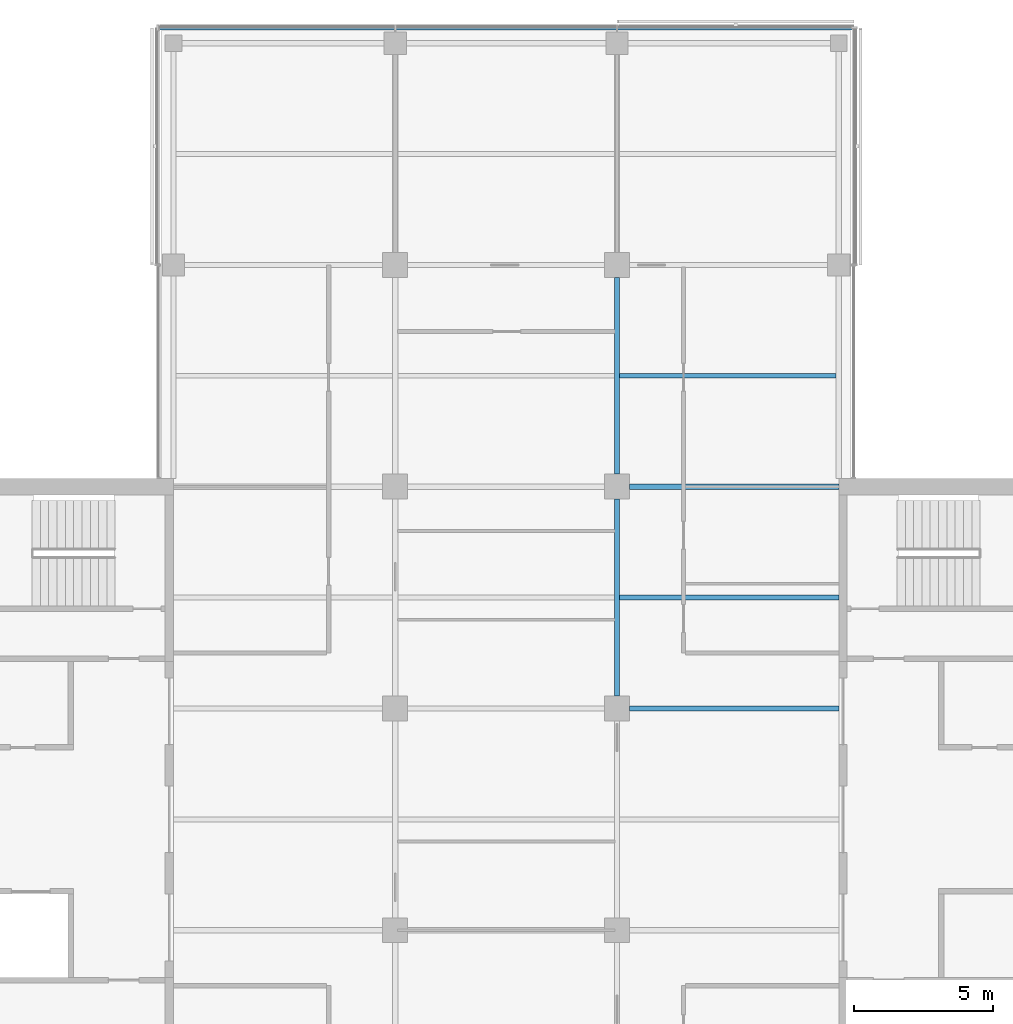
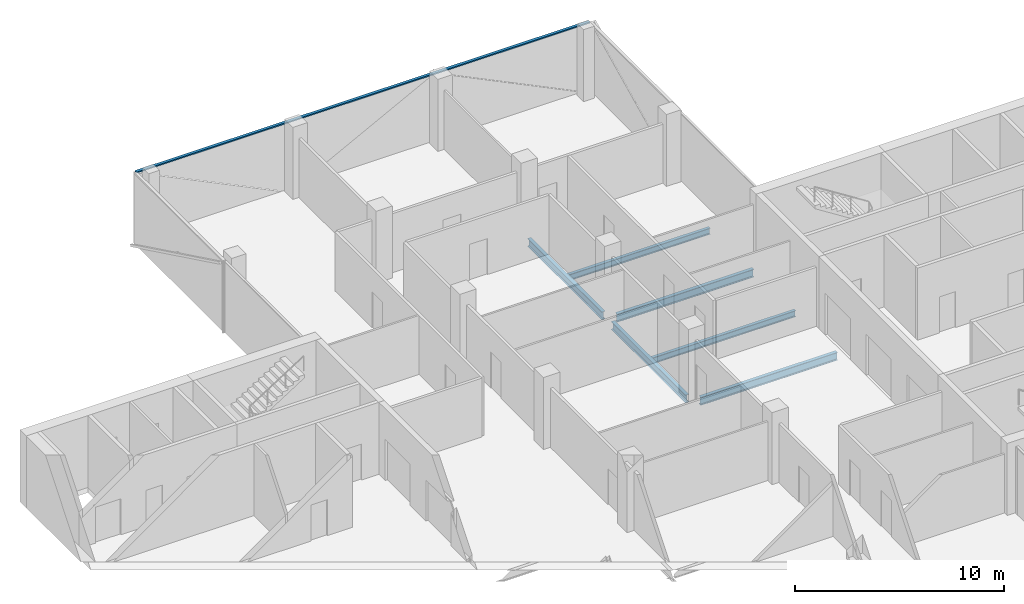
# One storey, part 6 of 15: 6 beams, 1 member, 1 element without a shape of its own.
"""IFC4 building model written with IfcOpenShell, lengths in metres."""

from ifc_helpers import new_model, si_unit, direction, frame, origin, origin_2d, place, context, subcontext, project, spatial, rectangle, i_section, extrude, material, material_profile, profile_set, type_object, element, aggregate, save


model = new_model("IFC4")

# Units and contexts
model_context = context("Model", 3, precision=1e-05, world=origin(), true_north=direction((0.0, 1.0)))
body_context = subcontext(model_context, "Body", "Model", "MODEL_VIEW")
ifc_project = project(units=[si_unit("LENGTHUNIT", "METRE"), si_unit("AREAUNIT", "SQUARE_METRE"), si_unit("VOLUMEUNIT", "CUBIC_METRE"), si_unit("PLANEANGLEUNIT", "RADIAN"), si_unit("MASSUNIT", "GRAM", prefix="KILO")], contexts=[model_context])

# Site, building, storey
site_placement = place(None, origin())
site = spatial("IfcSite", under=ifc_project, at=site_placement, CompositionType="ELEMENT")
building_placement = place(site_placement, origin())
building = spatial("IfcBuilding", under=site, at=building_placement, Name="Crosswind Convention Tower", CompositionType="ELEMENT")
storey_placement = place(building_placement, frame((0.0, 0.0, 195.699951171875)))
storey = spatial("IfcBuildingStorey", under=building, at=storey_placement, Name="L41", CompositionType="ELEMENT", Elevation=195.699951171875)

# Beams
ifc_material_1 = material(Name="Steel S355", Category="steel")
ifc_material_profile_1 = material_profile(ifc_material_1, i_section(OverallWidth=0.1904296875, OverallDepth=0.457275390625, WebThickness=0.009033203125, FlangeThickness=0.014404296875, FilletRadius=0.01025390625, at=origin_2d()), Name="UB 457x191x75")
ifc_profile_set_1 = profile_set([ifc_material_profile_1], Name="Steel S355")
beam_type_1 = type_object("IfcBeamType", Name="Girder UB 457x191x75", PredefinedType="BEAM", material=ifc_profile_set_1)
for number, where, z_axis, x_axis, name in (
    (1, (129.0, 104.449951171875, -0.528564453125), (0.0, 1.0, 0.0), (-1.0, 0.0, 0.0), "B2 L41 girder 20"),
    (2, (129.0, 112.449951171875, -0.528564453125), (0.0, 1.0, 0.0), (-1.0, 0.0, 0.0), "B2 L41 girder 21"),
):
    element("IfcBeam", number, at=place(storey_placement, frame(where, z_axis=z_axis, x_axis=x_axis)), inside=storey, type_object=beam_type_1, Name=name, PredefinedType="BEAM", context=body_context, shape_type="SweptSolid", body=[
        extrude(i_section(OverallWidth=0.1904296875, OverallDepth=0.457275390625, WebThickness=0.009033203125, FlangeThickness=0.014404296875, FilletRadius=0.01025390625, at=origin_2d()), origin(), (0.0, 0.0, 1.0), 7.10009765625),
    ])
ifc_material_profile_2 = material_profile(ifc_material_1, i_section(OverallWidth=0.19140625, OverallDepth=0.460205078125, WebThickness=0.010009765625, FlangeThickness=0.01611328125, FilletRadius=0.01025390625, at=origin_2d()), Name="UB 457x191x82")
ifc_profile_set_2 = profile_set([ifc_material_profile_2], Name="Steel S355")
beam_type_2 = type_object("IfcBeamType", Name="Girder at core wall UB 457x191x82", PredefinedType="BEAM", material=ifc_profile_set_2)
for number, where, z_axis, x_axis, name in (
    (3, (129.449951171875, 104.0, -0.530029296875), (1.0, 0.0, 0.0), (0.0, 1.0, 0.0), "B23 L41 girder at core wall 7"),
    (4, (129.449951171875, 112.0, -0.530029296875), (1.0, 0.0, 0.0), (0.0, 1.0, 0.0), "B23 L41 girder at core wall 8"),
):
    element("IfcBeam", number, at=place(storey_placement, frame(where, z_axis=z_axis, x_axis=x_axis)), inside=storey, type_object=beam_type_2, Name=name, PredefinedType="BEAM", context=body_context, shape_type="SweptSolid", body=[
        extrude(i_section(OverallWidth=0.19140625, OverallDepth=0.460205078125, WebThickness=0.010009765625, FlangeThickness=0.01611328125, FilletRadius=0.01025390625, at=origin_2d()), origin(), (0.0, 0.0, 1.0), 7.550048828125),
    ])
ifc_material_profile_3 = material_profile(ifc_material_1, i_section(OverallWidth=0.172119140625, OverallDepth=0.358642578125, WebThickness=0.008056640625, FlangeThickness=0.012939453125, FilletRadius=0.01025390625, at=origin_2d()), Name="UB 356x171x57")
ifc_profile_set_3 = profile_set([ifc_material_profile_3], Name="Steel S355")
beam_type_3 = type_object("IfcBeamType", Name="Secondary beam UB 356x171x57", PredefinedType="JOIST", material=ifc_profile_set_3)
beam_1_placement = place(storey_placement, frame((129.09521484375, 108.0, -0.479248046875), z_axis=(1.0, 0.0, 0.0), x_axis=(0.0, 1.0, 0.0)))
element("IfcBeam", 5, at=beam_1_placement, inside=storey, type_object=beam_type_3, Name="B9 L41 secondary beam 19", PredefinedType="JOIST", context=body_context, shape_type="SweptSolid", body=[
    extrude(i_section(OverallWidth=0.172119140625, OverallDepth=0.358642578125, WebThickness=0.008056640625, FlangeThickness=0.012939453125, FilletRadius=0.01025390625, at=origin_2d()), origin(), (0.0, 0.0, 1.0), 7.90478515625),
])
beam_2_placement = place(storey_placement, frame((129.09521484375, 116.0, -0.479248046875), z_axis=(1.0, 0.0, 0.0), x_axis=(0.0, 1.0, 0.0)))
element("IfcBeam", 6, at=beam_2_placement, inside=storey, type_object=beam_type_3, Name="B9 L41 secondary beam 20", PredefinedType="JOIST", context=body_context, shape_type="SweptSolid", body=[
    extrude(i_section(OverallWidth=0.172119140625, OverallDepth=0.358642578125, WebThickness=0.008056640625, FlangeThickness=0.012939453125, FilletRadius=0.01025390625, at=origin_2d()), origin(), (0.0, 0.0, 1.0), 7.809814453125),
])

# Curtain wall, member
ifc_material_2 = material(Name="Aluminium unitised curtain wall", Category="aluminium")
curtain_wall_type = type_object("IfcCurtainWallType", Name="OFFICE UNITISED WALL 220", PredefinedType="USERDEFINED", material=ifc_material_2)
curtain_wall_placement = place(storey_placement, origin())
curtain_wall = element("IfcCurtainWall", 7, at=curtain_wall_placement, inside=storey, type_object=curtain_wall_type, Name="CW3 L41 N-TIP 1", ObjectType="UNITISED", PredefinedType="USERDEFINED")
ifc_material_3 = material(Name="Aluminium transom", Category="aluminium")
ifc_material_profile_4 = material_profile(ifc_material_3, rectangle(XDim=0.159912109375, YDim=0.070068359375, at=origin_2d()), Name="AL 160X70")
ifc_profile_set_4 = profile_set([ifc_material_profile_4], Name="Aluminium transom")
member_type = type_object("IfcMemberType", Name="TRANSOM 70X160", PredefinedType="USERDEFINED", material=ifc_profile_set_4)
member_placement = place(storey_placement, frame((137.52490234375, 128.56005859375, 3.864990234375), z_axis=(-1.0, 0.0, 0.0), x_axis=(0.0, -1.0, 0.0)))
member = element("IfcMember", 8, at=member_placement, type_object=member_type, Name="CW3 transom", ObjectType="TRANSOM", PredefinedType="USERDEFINED", context=body_context, shape_type="SweptSolid", body=[
    extrude(rectangle(XDim=0.159912109375, YDim=0.070068359375, at=origin_2d()), origin(), (0.0, 0.0, 1.0), 25.0498046875),
])
aggregate(curtain_wall, [member])

save(model, "model.ifc")
